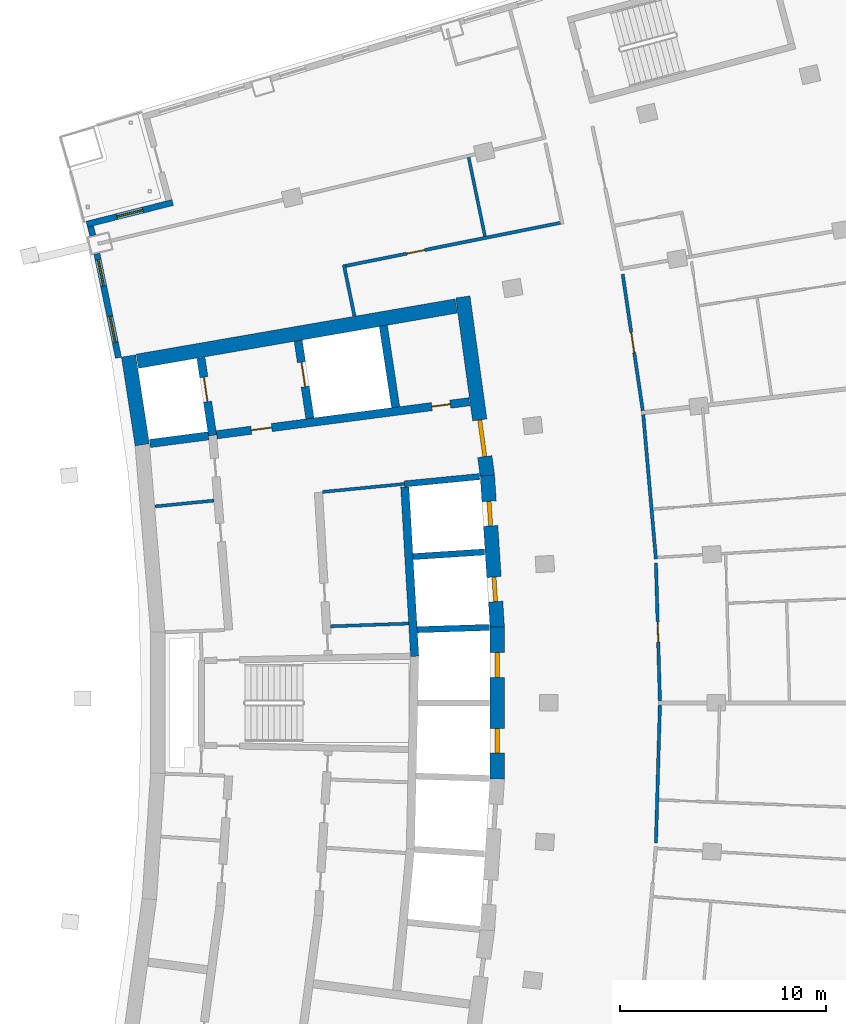
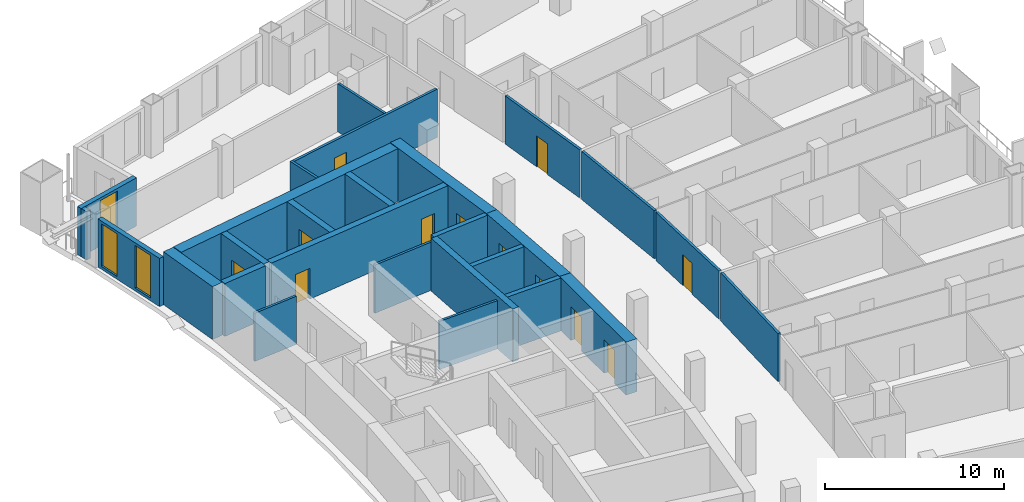
# One storey, part 14 of 21: 27 walls, 12 doors, 3 windows, 15 openings.
"""IFC4 building model written with IfcOpenShell, lengths in metres."""

import ifcopenshell
import ifcopenshell.guid

model = None  # the IFC model being written
_history = None  # IfcOwnerHistory: only IFC2X3 demands one
_inside = {}  # id of a spatial element -> (the spatial element, [elements in it])
_under = {}  # id of a project, library or spatial element -> (it, [spatial elements below it])
_declared = {}  # id of a project -> (the project, [libraries it declares])
_typed = {}  # id of a type object -> (the type object, [elements of that type])
_made_of = {}  # id of a material, layer set ... -> (it, [elements and type objects made of it])


def new_model(schema):
    """Start an empty IFC model of exactly this schema.

    Asked for "IFC4X3", IfcOpenShell would pick the latest addendum, in which some entities
    have other attributes; the version numbers below select the first issue.
    IFC2X3 requires an IfcOwnerHistory on every rooted entity: one is made here for all.
    """
    global model, _history
    if schema == "IFC4X3":
        model = ifcopenshell.file(schema_version=(4, 3, 0, 0))
    else:
        model = ifcopenshell.file(schema=schema)
    _inside.clear()
    _under.clear()
    _declared.clear()
    _typed.clear()
    _made_of.clear()
    _history = None
    if model.schema == "IFC2X3":
        org = make("IfcOrganization", Name="unknown")
        user = make(
            "IfcPersonAndOrganization",
            ThePerson=make("IfcPerson", FamilyName="unknown"),
            TheOrganization=org,
        )
        app = make(
            "IfcApplication",
            ApplicationDeveloper=org,
            Version="unknown",
            ApplicationFullName="unknown",
            ApplicationIdentifier="unknown",
        )
        _history = make(
            "IfcOwnerHistory",
            OwningUser=user,
            OwningApplication=app,
            ChangeAction="ADDED",
            CreationDate=0,
        )
    return model


def make(cls, **values):
    """One entity of the class cls with the attributes given. An attribute that is None is left unset."""
    return model.create_entity(
        cls, **{name: value for name, value in values.items() if value is not None}
    )


def rooted(cls, **values):
    """An entity with a GlobalId (a new one), such as an element, a storey or a relation."""
    return make(cls, GlobalId=ifcopenshell.guid.new(), OwnerHistory=_history, **values)


def si_unit(unit_type, name, prefix=None):
    """IfcSIUnit, for example si_unit("LENGTHUNIT", "METRE", prefix="MILLI")."""
    return make("IfcSIUnit", UnitType=unit_type, Prefix=prefix, Name=name)


def assignment(units):
    """IfcUnitAssignment: the units of a project."""
    return None if units is None else make("IfcUnitAssignment", Units=units)


def point(xyz):
    """IfcCartesianPoint."""
    return None if xyz is None else make("IfcCartesianPoint", Coordinates=xyz)


def direction(xyz):
    """IfcDirection."""
    return None if xyz is None else make("IfcDirection", DirectionRatios=xyz)


def frame(location, z_axis=None, x_axis=None):
    """IfcAxis2Placement3D, a coordinate frame: its origin and axes. An axis left out is left unset."""
    return make(
        "IfcAxis2Placement3D",
        Location=point(location),
        Axis=direction(z_axis),
        RefDirection=direction(x_axis),
    )


def frame_2d(location, x_axis=None):
    """IfcAxis2Placement2D, a coordinate frame in the plane: its origin and x axis."""
    return make(
        "IfcAxis2Placement2D", Location=point(location), RefDirection=direction(x_axis)
    )


def origin():
    """The frame at (0, 0, 0) with its axes left unset."""
    return frame((0.0, 0.0, 0.0))


def place(relative_to, where):
    """IfcLocalPlacement: puts the frame where relative to a parent placement (None: the world)."""
    return make(
        "IfcLocalPlacement", PlacementRelTo=relative_to, RelativePlacement=where
    )


def context(
    kind, dimensions, precision=None, world=None, true_north=None, identifier=None
):
    """IfcGeometricRepresentationContext, for example the 3D "Model" context."""
    return make(
        "IfcGeometricRepresentationContext",
        ContextIdentifier=identifier,
        ContextType=kind,
        CoordinateSpaceDimension=dimensions,
        Precision=precision,
        WorldCoordinateSystem=world,
        TrueNorth=true_north,
    )


def subcontext(parent, identifier, kind, view, scale=None):
    """IfcGeometricRepresentationSubContext, for example "Body" below "Model"."""
    return make(
        "IfcGeometricRepresentationSubContext",
        ContextIdentifier=identifier,
        ContextType=kind,
        ParentContext=parent,
        TargetScale=scale,
        TargetView=view,
    )


def project(units=None, contexts=None):
    """IfcProject with its units and contexts."""
    return rooted(
        "IfcProject",
        Name="project",
        RepresentationContexts=contexts,
        UnitsInContext=assignment(units),
    )


def spatial(cls, under=None, at=None, **own):
    """A site, building, storey or space (cls), placed at a placement, below another one or the project."""
    s = rooted(cls, ObjectPlacement=at, **own)
    if under is not None:
        _under.setdefault(under.id(), (under, []))[1].append(s)
    return s


def profile(cls, at=None, kind="AREA", **sizes):
    """A parametric profile (cls). Its sizes go by their IFC names, for example OverallWidth=200.0."""
    return make(cls, ProfileType=kind, Position=at, **sizes)


def rectangle(**sizes):
    """IfcRectangleProfileDef."""
    return profile("IfcRectangleProfileDef", **sizes)


def extrude(swept, where, along, depth):
    """IfcExtrudedAreaSolid: the profile swept, set in the frame where, extruded along a direction by depth."""
    return make(
        "IfcExtrudedAreaSolid",
        SweptArea=swept,
        Position=where,
        ExtrudedDirection=direction(along),
        Depth=depth,
    )


def shape(context_of_items, identifier, shape_type, items):
    """IfcShapeRepresentation: the items that make up one representation, for example the "Body"."""
    return make(
        "IfcShapeRepresentation",
        ContextOfItems=context_of_items,
        RepresentationIdentifier=identifier,
        RepresentationType=shape_type,
        Items=items,
    )


def material(Name=None, Category=None):
    """IfcMaterial."""
    return make("IfcMaterial", Name=Name, Category=Category)


def layer(
    of_material, thickness, ventilated=None, Name=None, Category=None, Priority=None
):
    """IfcMaterialLayer: one layer of a wall or slab, of a material (None: an air gap)."""
    return make(
        "IfcMaterialLayer",
        Material=of_material,
        LayerThickness=thickness,
        IsVentilated=ventilated,
        Name=Name,
        Category=Category,
        Priority=Priority,
    )


def layer_set(layers, Name=None):
    """IfcMaterialLayerSet."""
    return make("IfcMaterialLayerSet", MaterialLayers=layers, LayerSetName=Name)


def made_of(thing, what):
    """Note that an element or type object is made of a material, layer set ...; save() writes the relation."""
    if what is not None:
        _made_of.setdefault(what.id(), (what, []))[1].append(thing)
    return thing


def type_object(cls, material=None, **own):
    """A type object (cls), such as IfcWallType, which elements share."""
    return made_of(rooted(cls, **own), material)


def element(
    cls,
    number,
    at=None,
    inside=None,
    cuts=None,
    type_object=None,
    material=None,
    context=None,
    identifier="Body",
    shape_type=None,
    held_by="IfcProductDefinitionShape",
    body=None,
    shapes=None,
    **own,
):
    """One element of the class cls, such as IfcWall. Its Tag is "e" and its number.

    at: its placement. inside: the storey or other place that contains it. cuts: it is an
    opening in that element (IfcRelVoidsElement). A single representation is given by context,
    identifier, shape_type and body (its items); several are given by shapes. held_by: the class
    of the entity that holds the representations. save() writes the other relations.
    """
    e = rooted(cls, Tag="e%d" % number, ObjectPlacement=at, **own)
    if body is not None:
        shapes = [shape(context, identifier, shape_type, body)]
    if shapes is not None:
        e.Representation = make(held_by, Representations=shapes)
    if inside is not None:
        _inside.setdefault(inside.id(), (inside, []))[1].append(e)
    if cuts is not None:
        rooted(
            "IfcRelVoidsElement", RelatingBuildingElement=cuts, RelatedOpeningElement=e
        )
    if type_object is not None:
        _typed.setdefault(type_object.id(), (type_object, []))[1].append(e)
    return made_of(e, material)


def fill(opening, filler):
    """IfcRelFillsElement: the door or window that sits in an opening."""
    return rooted(
        "IfcRelFillsElement",
        RelatingOpeningElement=opening,
        RelatedBuildingElement=filler,
    )


def aggregate(whole, parts):
    """IfcRelAggregates: a whole, such as a stair, and the parts it consists of."""
    return rooted("IfcRelAggregates", RelatingObject=whole, RelatedObjects=parts)


def save(model, path):
    """Write the relations noted so far, then the file.

    IfcRelAggregates (storeys below a building ...), IfcRelContainedInSpatialStructure (elements
    in a storey), IfcRelDefinesByType, IfcRelAssociatesMaterial and IfcRelDeclares: one each for
    every whole, place, type object, material and project.
    """
    for whole, parts in _under.values():
        aggregate(whole, parts)
    for where, things in _inside.values():
        rooted(
            "IfcRelContainedInSpatialStructure",
            RelatedElements=things,
            RelatingStructure=where,
        )
    for kind, things in _typed.values():
        rooted("IfcRelDefinesByType", RelatedObjects=things, RelatingType=kind)
    for what, things in _made_of.values():
        rooted("IfcRelAssociatesMaterial", RelatedObjects=things, RelatingMaterial=what)
    for by, libraries in _declared.values():
        rooted("IfcRelDeclares", RelatingContext=by, RelatedDefinitions=libraries)
    model.write(path)


model = new_model("IFC4")

# Units and contexts
model_context = context("Model", 3, precision=1e-05, world=origin(), true_north=direction((0.0, 1.0)))
body_context = subcontext(model_context, "Body", "Model", "MODEL_VIEW")
ifc_project = project(units=[si_unit("LENGTHUNIT", "METRE"), si_unit("AREAUNIT", "SQUARE_METRE"), si_unit("VOLUMEUNIT", "CUBIC_METRE"), si_unit("PLANEANGLEUNIT", "RADIAN"), si_unit("MASSUNIT", "GRAM", prefix="KILO")], contexts=[model_context])

# Site, building, storey
site_placement = place(None, origin())
site = spatial("IfcSite", under=ifc_project, at=site_placement, CompositionType="ELEMENT")
building_placement = place(site_placement, origin())
building = spatial("IfcBuilding", under=site, at=building_placement, Name="Alderwake Tower", CompositionType="ELEMENT")
storey_placement = place(building_placement, frame((0.0, 0.0, 146.0)))
storey = spatial("IfcBuildingStorey", under=building, at=storey_placement, Name="L35", CompositionType="ELEMENT", Elevation=146.0)

# Walls
ifc_material_1 = material(Name="Gypsum shaft wall system, rated")
ifc_layer_1 = layer(ifc_material_1, 0.14990234375)
ifc_layer_set_1 = layer_set([ifc_layer_1], Name="Core riser partition 150")
wall_type_1 = type_object("IfcWallType", Name="Core riser partition 150", PredefinedType="PARTITIONING", material=ifc_layer_set_1)
wall_1_placement = place(storey_placement, frame((25.191162109375, 64.723388671875, 0.0), z_axis=(0.0, 0.0, 1.0), x_axis=(0.999373627871, 0.035388584556, 0.0)))
element("IfcWall", 1, at=wall_1_placement, inside=storey, type_object=wall_type_1, Name="CW/L35/PR+37_+86", PredefinedType="PARTITIONING", context=body_context, shape_type="SweptSolid", body=[
    extrude(rectangle(XDim=3.79443359375, YDim=0.14990234375, at=frame_2d((1.897216796875, 0.0))), origin(), (0.0, 0.0, 1.0), 3.280029296875),
])
ifc_material_2 = material(Name="Gypsum shaft wall system, rated")
ifc_layer_2 = layer(ifc_material_2, 0.14990234375)
ifc_layer_set_2 = layer_set([ifc_layer_2], Name="Core room partition 150")
wall_type_2 = type_object("IfcWallType", Name="Core room partition 150", PredefinedType="PARTITIONING", material=ifc_layer_set_2)
wall_2_placement = place(storey_placement, frame((24.799560546875, 71.2548828125, 0.0), z_axis=(0.0, 0.0, 1.0), x_axis=(0.995250000627, 0.097352125046, 0.0)))
element("IfcWall", 2, at=wall_2_placement, inside=storey, type_object=wall_type_2, Name="CW/L35/PR+102_+86", PredefinedType="PARTITIONING", context=body_context, shape_type="SweptSolid", body=[
    extrude(rectangle(XDim=4.0, YDim=0.14990234375, at=frame_2d((2.0, 0.0))), origin(), (0.0, 0.0, 1.0), 3.280029296875),
])
wall_3_placement = place(storey_placement, frame((16.662841796875, 70.552001953125, 0.0), z_axis=(0.0, 0.0, 1.0), x_axis=(0.995157883569, 0.098289301407, 0.0)))
element("IfcWall", 3, at=wall_3_placement, inside=storey, type_object=wall_type_2, Name="CW/L35/PR+103_+0", PredefinedType="PARTITIONING", context=body_context, shape_type="SweptSolid", body=[
    extrude(rectangle(XDim=2.866455078125, YDim=0.14990234375, at=frame_2d((1.43310546875, 0.0))), origin(), (0.0, 0.0, 1.0), 3.280029296875),
])
ifc_material_3 = material(Name="Concrete C70/85", Category="concrete")
ifc_layer_3 = layer(ifc_material_3, 0.699951171875)
ifc_layer_set_3 = layer_set([ifc_layer_3], Name="Core wall outer 700 C70-85")
wall_type_3 = type_object("IfcWallType", Name="Core wall outer 700 C70-85", PredefinedType="SHEAR", material=ifc_layer_set_3)
wall_4_placement = place(storey_placement, frame((16.033935546875, 73.547607421875, 0.0), z_axis=(0.0, 0.0, 1.0), x_axis=(-0.151897483467, 0.988396253795, 0.0)))
element("IfcWall", 4, at=wall_4_placement, inside=storey, type_object=wall_type_3, Name="Core wall CW.039", PredefinedType="SHEAR", context=body_context, shape_type="SweptSolid", body=[
    extrude(rectangle(XDim=4.365234375, YDim=0.699951171875, at=frame_2d((2.1826171875, 0.0))), origin(), (0.0, 0.0, 1.0), 3.60009765625),
])

# Wall, openings, doors
wall_5_placement = place(storey_placement, frame((33.2900390625, 57.30322265625, 0.0), z_axis=(0.0, 0.0, 1.0), x_axis=(0.0, 1.0, 0.0)))
wall_5 = element("IfcWall", 5, at=wall_5_placement, inside=storey, type_object=wall_type_3, Name="Core wall CW.013", PredefinedType="SHEAR", context=body_context, shape_type="SweptSolid", body=[
    extrude(rectangle(XDim=7.3935546875, YDim=0.699951171875, at=frame_2d((3.69677734375, 0.0))), origin(), (0.0, 0.0, 1.0), 3.60009765625),
])
opening_1_placement = place(wall_5_placement, frame((1.254150390625, 0.0, 0.0)))
opening_1 = element("IfcOpeningElement", 6, at=opening_1_placement, cuts=wall_5, Name="Opening LD-HP3", PredefinedType="OPENING", context=body_context, shape_type="SweptSolid", body=[
    extrude(rectangle(XDim=1.199951171875, YDim=2.300048828125, at=frame_2d((0.60009765625, 1.14990234375))), frame((0.0, 0.35986328125, 0.0), z_axis=(0.0, -1.0, 0.0), x_axis=(1.0, 0.0, 0.0)), (0.0, 0.0, 1.0), 0.719970703125),
])
opening_2_placement = place(wall_5_placement, frame((4.939208984375, 0.0, 0.0)))
opening_2 = element("IfcOpeningElement", 7, at=opening_2_placement, cuts=wall_5, Name="Opening LD-HP4", PredefinedType="OPENING", context=body_context, shape_type="SweptSolid", body=[
    extrude(rectangle(XDim=1.199951171875, YDim=2.300048828125, at=frame_2d((0.60009765625, 1.14990234375))), frame((0.0, 0.35986328125, 0.0), z_axis=(0.0, -1.0, 0.0), x_axis=(1.0, 0.0, 0.0)), (0.0, 0.0, 1.0), 0.719970703125),
])
ifc_material_4 = material(Name="Stainless steel sliding leaf", Category="steel")
door_type_1 = type_object("IfcDoorType", Name="Lift landing door 1200", OperationType="SLIDING_TO_LEFT", PredefinedType="DOOR", material=ifc_material_4)
door_1_placement = place(opening_1_placement, origin())
door_1 = element("IfcDoor", 8, at=door_1_placement, inside=storey, type_object=door_type_1, Name="Lift landing door HP3", OperationType="SLIDING_TO_LEFT", OverallHeight=2.300048828125, OverallWidth=1.199951171875, PredefinedType="DOOR", context=body_context, shape_type="SweptSolid", body=[
    extrude(rectangle(XDim=1.199951171875, YDim=2.300048828125, at=frame_2d((0.60009765625, 1.14990234375))), frame((0.0, 0.10009765625, 0.0), z_axis=(0.0, -1.0, 0.0), x_axis=(1.0, 0.0, 0.0)), (0.0, 0.0, 1.0), 0.199951171875),
])
fill(opening_1, door_1)
door_2_placement = place(opening_2_placement, origin())
door_2 = element("IfcDoor", 9, at=door_2_placement, inside=storey, type_object=door_type_1, Name="Lift landing door HP4", OperationType="SLIDING_TO_LEFT", OverallHeight=2.300048828125, OverallWidth=1.199951171875, PredefinedType="DOOR", context=body_context, shape_type="SweptSolid", body=[
    extrude(rectangle(XDim=1.199951171875, YDim=2.300048828125, at=frame_2d((0.60009765625, 1.14990234375))), frame((0.0, 0.10009765625, 0.0), z_axis=(0.0, -1.0, 0.0), x_axis=(1.0, 0.0, 0.0)), (0.0, 0.0, 1.0), 0.199951171875),
])
fill(opening_2, door_2)

wall_6_placement = place(storey_placement, frame((33.291015625, 64.6728515625, 0.0), z_axis=(0.0, 0.0, 1.0), x_axis=(-0.065009096017, 0.99788467141, 0.0)))
wall_6 = element("IfcWall", 10, at=wall_6_placement, inside=storey, type_object=wall_type_3, Name="Core wall CW.010", PredefinedType="SHEAR", context=body_context, shape_type="SweptSolid", body=[
    extrude(rectangle(XDim=7.39453125, YDim=0.699951171875, at=frame_2d((3.697265625, 0.0))), origin(), (0.0, 0.0, 1.0), 3.60009765625),
])
opening_3_placement = place(wall_6_placement, frame((1.25390625, 0.0, 0.0)))
opening_3 = element("IfcOpeningElement", 11, at=opening_3_placement, cuts=wall_6, Name="Opening LD-HP5", PredefinedType="OPENING", context=body_context, shape_type="SweptSolid", body=[
    extrude(rectangle(XDim=1.199951171875, YDim=2.300048828125, at=frame_2d((0.60009765625, 1.14990234375))), frame((0.0, 0.35986328125, 0.0), z_axis=(0.0, -1.0, 0.0), x_axis=(1.0, 0.0, 0.0)), (0.0, 0.0, 1.0), 0.719970703125),
])
opening_4_placement = place(wall_6_placement, frame((4.939208984375, 0.0, 0.0)))
opening_4 = element("IfcOpeningElement", 12, at=opening_4_placement, cuts=wall_6, Name="Opening LD-HP6", PredefinedType="OPENING", context=body_context, shape_type="SweptSolid", body=[
    extrude(rectangle(XDim=1.199951171875, YDim=2.300048828125, at=frame_2d((0.60009765625, 1.14990234375))), frame((0.0, 0.35986328125, 0.0), z_axis=(0.0, -1.0, 0.0), x_axis=(1.0, 0.0, 0.0)), (0.0, 0.0, 1.0), 0.719970703125),
])
door_3_placement = place(opening_3_placement, origin())
door_3 = element("IfcDoor", 13, at=door_3_placement, inside=storey, type_object=door_type_1, Name="Lift landing door HP5", OperationType="SLIDING_TO_LEFT", OverallHeight=2.300048828125, OverallWidth=1.199951171875, PredefinedType="DOOR", context=body_context, shape_type="SweptSolid", body=[
    extrude(rectangle(XDim=1.199951171875, YDim=2.300048828125, at=frame_2d((0.60009765625, 1.14990234375))), frame((0.0, 0.10009765625, 0.0), z_axis=(0.0, -1.0, 0.0), x_axis=(1.0, 0.0, 0.0)), (0.0, 0.0, 1.0), 0.199951171875),
])
fill(opening_3, door_3)
door_4_placement = place(opening_4_placement, origin())
door_4 = element("IfcDoor", 14, at=door_4_placement, inside=storey, type_object=door_type_1, Name="Lift landing door HP6", OperationType="SLIDING_TO_LEFT", OverallHeight=2.300048828125, OverallWidth=1.199951171875, PredefinedType="DOOR", context=body_context, shape_type="SweptSolid", body=[
    extrude(rectangle(XDim=1.199951171875, YDim=2.300048828125, at=frame_2d((0.60009765625, 1.14990234375))), frame((0.0, 0.10009765625, 0.0), z_axis=(0.0, -1.0, 0.0), x_axis=(1.0, 0.0, 0.0)), (0.0, 0.0, 1.0), 0.199951171875),
])
fill(opening_4, door_4)

# Wall, opening, door
wall_7_placement = place(storey_placement, frame((31.618896484375, 80.735107421875, 0.0), z_axis=(0.0, 0.0, 1.0), x_axis=(0.135835706655, -0.99073137671, 0.0)))
wall_7 = element("IfcWall", 15, at=wall_7_placement, inside=storey, type_object=wall_type_3, Name="Core wall CW.009", PredefinedType="SHEAR", context=body_context, shape_type="SweptSolid", body=[
    extrude(rectangle(XDim=8.790771484375, YDim=0.699951171875, at=frame_2d((4.3955078125, 0.0))), origin(), (0.0, 0.0, 1.0), 3.60009765625),
])
opening_5_placement = place(wall_7_placement, frame((6.035888671875, 0.0, 0.0)))
opening_5 = element("IfcOpeningElement", 16, at=opening_5_placement, cuts=wall_7, Name="Opening C001", PredefinedType="OPENING", context=body_context, shape_type="SweptSolid", body=[
    extrude(rectangle(XDim=1.800048828125, YDim=2.10009765625, at=frame_2d((0.89990234375, 1.050048828125))), frame((0.0, 0.35986328125, 0.0), z_axis=(0.0, -1.0, 0.0), x_axis=(1.0, 0.0, 0.0)), (0.0, 0.0, 1.0), 0.719970703125),
])
ifc_material_5 = material(Name="Steel-framed fire door leaves", Category="steel")
door_type_2 = type_object("IfcDoorType", Name="Core double door 1800 fire-rated", OperationType="DOUBLE_DOOR_SINGLE_SWING", PredefinedType="DOOR", material=ifc_material_5)
door_5_placement = place(opening_5_placement, origin())
door_5 = element("IfcDoor", 17, at=door_5_placement, inside=storey, type_object=door_type_2, Name="Lobby double door", OperationType="DOUBLE_DOOR_SINGLE_SWING", OverallHeight=2.10009765625, OverallWidth=1.800048828125, PredefinedType="DOOR", context=body_context, shape_type="SweptSolid", body=[
    extrude(rectangle(XDim=1.800048828125, YDim=2.10009765625, at=frame_2d((0.89990234375, 1.050048828125))), frame((0.0, 0.10009765625, 0.0), z_axis=(0.0, -1.0, 0.0), x_axis=(1.0, 0.0, 0.0)), (0.0, 0.0, 1.0), 0.199951171875),
])
fill(opening_5, door_5)

# Walls
wall_8_placement = place(storey_placement, frame((15.79443359375, 77.606689453125, 0.0), z_axis=(0.0, 0.0, 1.0), x_axis=(0.985301369349, 0.170825090542, 0.0)))
element("IfcWall", 18, at=wall_8_placement, inside=storey, type_object=wall_type_3, Name="Core wall CW.055", PredefinedType="SHEAR", context=body_context, shape_type="SweptSolid", body=[
    extrude(rectangle(XDim=15.732421875, YDim=0.699951171875, at=frame_2d((7.8662109375, 0.0))), origin(), (0.0, 0.0, 1.0), 3.60009765625),
])
ifc_material_6 = material(Name="Concrete C70/85", Category="concrete")
ifc_layer_4 = layer(ifc_material_6, 0.300048828125)
ifc_layer_set_4 = layer_set([ifc_layer_4], Name="Core wall shaft 300 C70-85")
wall_type_4 = type_object("IfcWallType", Name="Core wall shaft 300 C70-85", PredefinedType="SHEAR", material=ifc_layer_set_4)
wall_9_placement = place(storey_placement, frame((29.401611328125, 64.558349609375, 0.0), z_axis=(0.0, 0.0, 1.0), x_axis=(0.999472422829, 0.032478854739, 0.0)))
element("IfcWall", 19, at=wall_9_placement, inside=storey, type_object=wall_type_4, Name="Core wall CW.058", PredefinedType="SHEAR", context=body_context, shape_type="SweptSolid", body=[
    extrude(rectangle(XDim=3.510498046875, YDim=0.300048828125, at=frame_2d((1.75537109375, 0.0))), origin(), (0.0, 0.0, 1.0), 3.60009765625),
])
wall_10_placement = place(storey_placement, frame((29.193603515625, 68.110595703125, 0.0), z_axis=(0.0, 0.0, 1.0), x_axis=(0.997884751549, 0.065007865878, 0.0)))
element("IfcWall", 20, at=wall_10_placement, inside=storey, type_object=wall_type_4, Name="Core wall CW.061", PredefinedType="SHEAR", context=body_context, shape_type="SweptSolid", body=[
    extrude(rectangle(XDim=3.485107421875, YDim=0.300048828125, at=frame_2d((1.74267578125, 0.0))), origin(), (0.0, 0.0, 1.0), 3.60009765625),
])
wall_11_placement = place(storey_placement, frame((28.780517578125, 71.644287109375, 0.0), z_axis=(0.0, 0.0, 1.0), x_axis=(0.995245736737, 0.097395705788, 0.0)))
element("IfcWall", 21, at=wall_11_placement, inside=storey, type_object=wall_type_4, Name="Core wall CW.049", PredefinedType="SHEAR", context=body_context, shape_type="SweptSolid", body=[
    extrude(rectangle(XDim=3.669677734375, YDim=0.300048828125, at=frame_2d((1.8349609375, 0.0))), origin(), (0.0, 0.0, 1.0), 3.60009765625),
])

# Wall, opening, door
ifc_material_7 = material(Name="Concrete C70/85", Category="concrete")
ifc_layer_5 = layer(ifc_material_7, 0.39990234375)
ifc_layer_set_5 = layer_set([ifc_layer_5], Name="Core wall spine 400 C70-85")
wall_type_5 = type_object("IfcWallType", Name="Core wall spine 400 C70-85", PredefinedType="SHEAR", material=ifc_layer_set_5)
wall_12_placement = place(storey_placement, frame((19.4541015625, 74.000732421875, 0.0), z_axis=(0.0, 0.0, 1.0), x_axis=(-0.148540738889, 0.988906289236, 0.0)))
wall_12 = element("IfcWall", 22, at=wall_12_placement, inside=storey, type_object=wall_type_5, Name="Core wall CW.030", PredefinedType="SHEAR", context=body_context, shape_type="SweptSolid", body=[
    extrude(rectangle(XDim=3.814697265625, YDim=0.39990234375, at=frame_2d((1.9072265625, 0.0))), origin(), (0.0, 0.0, 1.0), 3.60009765625),
])
opening_6_placement = place(wall_12_placement, frame((1.660888671875, 0.0, 0.0)))
opening_6 = element("IfcOpeningElement", 23, at=opening_6_placement, cuts=wall_12, Name="Opening LD-FF1", PredefinedType="OPENING", context=body_context, shape_type="SweptSolid", body=[
    extrude(rectangle(XDim=1.199951171875, YDim=2.300048828125, at=frame_2d((0.60009765625, 1.14990234375))), frame((0.0, 0.2099609375, 0.0), z_axis=(0.0, -1.0, 0.0), x_axis=(1.0, 0.0, 0.0)), (0.0, 0.0, 1.0), 0.419921875),
])
door_6_placement = place(opening_6_placement, origin())
door_6 = element("IfcDoor", 24, at=door_6_placement, inside=storey, type_object=door_type_1, Name="Lift landing door FF1", OperationType="SLIDING_TO_LEFT", OverallHeight=2.300048828125, OverallWidth=1.199951171875, PredefinedType="DOOR", context=body_context, shape_type="SweptSolid", body=[
    extrude(rectangle(XDim=1.199951171875, YDim=2.300048828125, at=frame_2d((0.60009765625, 1.14990234375))), frame((0.0, 0.02490234375, 0.0), z_axis=(0.0, -1.0, 0.0), x_axis=(1.0, 0.0, 0.0)), (0.0, 0.0, 1.0), 0.050048828125),
])
fill(opening_6, door_6)

wall_13_placement = place(storey_placement, frame((24.186279296875, 74.82861328125, 0.0), z_axis=(0.0, 0.0, 1.0), x_axis=(-0.149604879253, 0.988745862243, 0.0)))
wall_13 = element("IfcWall", 25, at=wall_13_placement, inside=storey, type_object=wall_type_5, Name="Core wall CW.044", PredefinedType="SHEAR", context=body_context, shape_type="SweptSolid", body=[
    extrude(rectangle(XDim=3.823486328125, YDim=0.39990234375, at=frame_2d((1.91162109375, 0.0))), origin(), (0.0, 0.0, 1.0), 3.60009765625),
])
opening_7_placement = place(wall_13_placement, frame((1.561767578125, 0.0, 0.0)))
opening_7 = element("IfcOpeningElement", 26, at=opening_7_placement, cuts=wall_13, Name="Opening LD-FF2", PredefinedType="OPENING", context=body_context, shape_type="SweptSolid", body=[
    extrude(rectangle(XDim=1.199951171875, YDim=2.300048828125, at=frame_2d((0.60009765625, 1.14990234375))), frame((0.0, 0.2099609375, 0.0), z_axis=(0.0, -1.0, 0.0), x_axis=(1.0, 0.0, 0.0)), (0.0, 0.0, 1.0), 0.419921875),
])
door_7_placement = place(opening_7_placement, origin())
door_7 = element("IfcDoor", 27, at=door_7_placement, inside=storey, type_object=door_type_1, Name="Lift landing door FF2", OperationType="SLIDING_TO_LEFT", OverallHeight=2.300048828125, OverallWidth=1.199951171875, PredefinedType="DOOR", context=body_context, shape_type="SweptSolid", body=[
    extrude(rectangle(XDim=1.199951171875, YDim=2.300048828125, at=frame_2d((0.60009765625, 1.14990234375))), frame((0.0, 0.02490234375, 0.0), z_axis=(0.0, -1.0, 0.0), x_axis=(1.0, 0.0, 0.0)), (0.0, 0.0, 1.0), 0.050048828125),
])
fill(opening_7, door_7)

# Walls
wall_14_placement = place(storey_placement, frame((29.27685546875, 63.2646484375, 0.0), z_axis=(0.0, 0.0, 1.0), x_axis=(-0.0584546922, 0.998290062537, 0.0)))
element("IfcWall", 28, at=wall_14_placement, inside=storey, type_object=wall_type_5, Name="Core wall CW.002", PredefinedType="SHEAR", context=body_context, shape_type="SweptSolid", body=[
    extrude(rectangle(XDim=8.24462890625, YDim=0.39990234375, at=frame_2d((4.122314453125, 0.0))), origin(), (0.0, 0.0, 1.0), 3.60009765625),
])
wall_15_placement = place(storey_placement, frame((28.350830078125, 75.373291015625, 0.0), z_axis=(0.0, 0.0, 1.0), x_axis=(-0.149688214264, 0.988733249421, 0.0)))
element("IfcWall", 29, at=wall_15_placement, inside=storey, type_object=wall_type_5, Name="Core wall CW.001", PredefinedType="SHEAR", context=body_context, shape_type="SweptSolid", body=[
    extrude(rectangle(XDim=4.01220703125, YDim=0.39990234375, at=frame_2d((2.006103515625, 0.0))), origin(), (0.0, 0.0, 1.0), 3.60009765625),
])
wall_16_placement = place(storey_placement, frame((16.4091796875, 73.609619140625, 0.0), z_axis=(0.0, 0.0, 1.0), x_axis=(0.991557657486, 0.129666541102, 0.0)))
element("IfcWall", 30, at=wall_16_placement, inside=storey, type_object=wall_type_5, Name="Core wall CW.051", PredefinedType="SHEAR", context=body_context, shape_type="SweptSolid", body=[
    extrude(rectangle(XDim=2.869384765625, YDim=0.39990234375, at=frame_2d((1.4345703125, 0.0))), origin(), (0.0, 0.0, 1.0), 3.60009765625),
])

# Wall, openings, doors
wall_17_placement = place(storey_placement, frame((31.933837890625, 75.64013671875, 0.0), z_axis=(0.0, 0.0, 1.0), x_axis=(-0.991554628634, -0.129689700573, 0.0)))
wall_17 = element("IfcWall", 31, at=wall_17_placement, inside=storey, type_object=wall_type_5, Name="Core wall CW.052", PredefinedType="SHEAR", context=body_context, shape_type="SweptSolid", body=[
    extrude(rectangle(XDim=12.38671875, YDim=0.39990234375, at=frame_2d((6.193359375, 0.0))), origin(), (0.0, 0.0, 1.0), 3.60009765625),
])
opening_8_placement = place(wall_17_placement, frame((9.687255859375, 0.0, 0.0)))
opening_8 = element("IfcOpeningElement", 32, at=opening_8_placement, cuts=wall_17, Name="Opening C002", PredefinedType="OPENING", context=body_context, shape_type="SweptSolid", body=[
    extrude(rectangle(XDim=1.0, YDim=2.10009765625, at=frame_2d((0.5, 1.050048828125))), frame((0.0, 0.2099609375, 0.0), z_axis=(0.0, -1.0, 0.0), x_axis=(1.0, 0.0, 0.0)), (0.0, 0.0, 1.0), 0.419921875),
])
opening_9_placement = place(wall_17_placement, frame((0.937255859375, 0.0, 0.0)))
opening_9 = element("IfcOpeningElement", 33, at=opening_9_placement, cuts=wall_17, Name="Opening C020", PredefinedType="OPENING", context=body_context, shape_type="SweptSolid", body=[
    extrude(rectangle(XDim=0.89990234375, YDim=2.10009765625, at=frame_2d((0.449951171875, 1.050048828125))), frame((0.0, 0.2099609375, 0.0), z_axis=(0.0, -1.0, 0.0), x_axis=(1.0, 0.0, 0.0)), (0.0, 0.0, 1.0), 0.419921875),
])
ifc_material_8 = material(Name="Painted steel leaf", Category="steel")
door_type_3 = type_object("IfcDoorType", Name="Core room door 900", OperationType="SINGLE_SWING_LEFT", PredefinedType="DOOR", material=ifc_material_8)
door_8_placement = place(opening_9_placement, origin())
door_8 = element("IfcDoor", 34, at=door_8_placement, inside=storey, type_object=door_type_3, Name="Room door", OperationType="SINGLE_SWING_LEFT", OverallHeight=2.10009765625, OverallWidth=0.89990234375, PredefinedType="DOOR", context=body_context, shape_type="SweptSolid", body=[
    extrude(rectangle(XDim=0.89990234375, YDim=2.10009765625, at=frame_2d((0.449951171875, 1.050048828125))), frame((0.0, 0.02490234375, 0.0), z_axis=(0.0, -1.0, 0.0), x_axis=(1.0, 0.0, 0.0)), (0.0, 0.0, 1.0), 0.050048828125),
])
fill(opening_9, door_8)
ifc_material_9 = material(Name="Steel-framed fire door leaf", Category="steel")
door_type_4 = type_object("IfcDoorType", Name="Firefighting lobby door 1000 fire-rated", OperationType="SINGLE_SWING_LEFT", PredefinedType="DOOR", material=ifc_material_9)
door_9_placement = place(opening_8_placement, origin())
door_9 = element("IfcDoor", 35, at=door_9_placement, inside=storey, type_object=door_type_4, Name="Firefighting lobby door", OperationType="SINGLE_SWING_RIGHT", OverallHeight=2.10009765625, OverallWidth=1.0, PredefinedType="DOOR", context=body_context, shape_type="SweptSolid", body=[
    extrude(rectangle(XDim=1.0, YDim=2.10009765625, at=frame_2d((0.5, 1.050048828125))), frame((0.0, 0.02490234375, 0.0), z_axis=(0.0, -1.0, 0.0), x_axis=(1.0, 0.0, 0.0)), (0.0, 0.0, 1.0), 0.050048828125),
])
fill(opening_8, door_9)

# Wall
ifc_material_10 = material(Name="Gypsum board on metal studs, rated")
ifc_layer_6 = layer(ifc_material_10, 0.159912109375)
ifc_layer_set_6 = layer_set([ifc_layer_6], Name="Corridor wall 160")
wall_type_6 = type_object("IfcWallType", Name="Corridor wall 160", PredefinedType="PARTITIONING", material=ifc_layer_set_6)
wall_18_placement = place(storey_placement, frame((25.831787109375, 82.305419921875, 0.0), z_axis=(0.0, 0.0, 1.0), x_axis=(0.202450797205, -0.979292435747, 0.0)))
element("IfcWall", 36, at=wall_18_placement, inside=storey, type_object=wall_type_6, Name="WL/L35/W14", PredefinedType="PARTITIONING", context=body_context, shape_type="SweptSolid", body=[
    extrude(rectangle(XDim=2.555419921875, YDim=0.159912109375, at=frame_2d((1.27783203125, 0.0))), origin(), (0.0, 0.0, 1.0), 3.280029296875),
])

# Wall, opening, door
wall_19_placement = place(storey_placement, frame((25.926513671875, 82.24267578125, 0.0), z_axis=(0.0, 0.0, 1.0), x_axis=(0.98046310274, 0.196703086316, 0.0)))
wall_19 = element("IfcWall", 37, at=wall_19_placement, inside=storey, type_object=wall_type_6, Name="WL/L35/W20", PredefinedType="PARTITIONING", context=body_context, shape_type="SweptSolid", body=[
    extrude(rectangle(XDim=10.637939453125, YDim=0.159912109375, at=frame_2d((5.31884765625, 0.0))), origin(), (0.0, 0.0, 1.0), 3.280029296875),
])
opening_10_placement = place(wall_19_placement, frame((3.009033203125, 0.0, 0.0)))
opening_10 = element("IfcOpeningElement", 38, at=opening_10_placement, cuts=wall_19, Name="Opening R09-SBN1", PredefinedType="OPENING", context=body_context, shape_type="SweptSolid", body=[
    extrude(rectangle(XDim=0.89990234375, YDim=2.10009765625, at=frame_2d((0.449951171875, 1.050048828125))), frame((0.0, 0.08984375, 0.0), z_axis=(0.0, -1.0, 0.0), x_axis=(1.0, 0.0, 0.0)), (0.0, 0.0, 1.0), 0.179931640625),
])
ifc_material_11 = material(Name="Painted timber leaf", Category="wood")
door_type_5 = type_object("IfcDoorType", Name="Room door 900", OperationType="SINGLE_SWING_LEFT", PredefinedType="DOOR", material=ifc_material_11)
door_10_placement = place(opening_10_placement, origin())
door_10 = element("IfcDoor", 39, at=door_10_placement, inside=storey, type_object=door_type_5, Name="DR/L35/SBN1", OperationType="SINGLE_SWING_LEFT", OverallHeight=2.10009765625, OverallWidth=0.89990234375, PredefinedType="DOOR", context=body_context, shape_type="SweptSolid", body=[
    extrude(rectangle(XDim=0.89990234375, YDim=2.10009765625, at=frame_2d((0.449951171875, 1.050048828125))), frame((0.0, 0.02490234375, 0.0), z_axis=(0.0, -1.0, 0.0), x_axis=(1.0, 0.0, 0.0)), (0.0, 0.0, 1.0), 0.050048828125),
])
fill(opening_10, door_10)

wall_20_placement = place(storey_placement, frame((39.38671875, 81.837158203125, 0.0), z_axis=(0.0, 0.0, 1.0), x_axis=(0.145576845789, -0.989346947218, 0.0)))
wall_20 = element("IfcWall", 40, at=wall_20_placement, inside=storey, type_object=wall_type_6, Name="WL/L35/W25", PredefinedType="PARTITIONING", context=body_context, shape_type="SweptSolid", body=[
    extrude(rectangle(XDim=6.701416015625, YDim=0.159912109375, at=frame_2d((3.3505859375, 0.0))), origin(), (0.0, 0.0, 1.0), 3.280029296875),
])
opening_11_placement = place(wall_20_placement, frame((2.850830078125, 0.0, 0.0)))
opening_11 = element("IfcOpeningElement", 41, at=opening_11_placement, cuts=wall_20, Name="Opening R09-U07.2", PredefinedType="OPENING", context=body_context, shape_type="SweptSolid", body=[
    extrude(rectangle(XDim=1.0, YDim=2.10009765625, at=frame_2d((0.5, 1.050048828125))), frame((0.0, 0.08984375, 0.0), z_axis=(0.0, -1.0, 0.0), x_axis=(1.0, 0.0, 0.0)), (0.0, 0.0, 1.0), 0.179931640625),
])
ifc_material_12 = material(Name="Solid timber leaf in steel frame", Category="steel")
door_type_6 = type_object("IfcDoorType", Name="Flat entrance door 1000 fire-rated", OperationType="SINGLE_SWING_LEFT", PredefinedType="DOOR", material=ifc_material_12)
door_11_placement = place(opening_11_placement, origin())
door_11 = element("IfcDoor", 42, at=door_11_placement, inside=storey, type_object=door_type_6, Name="DR/L35/U07.2", OperationType="SINGLE_SWING_LEFT", OverallHeight=2.10009765625, OverallWidth=1.0, PredefinedType="DOOR", context=body_context, shape_type="SweptSolid", body=[
    extrude(rectangle(XDim=1.0, YDim=2.10009765625, at=frame_2d((0.5, 1.050048828125))), frame((0.0, 0.02490234375, 0.0), z_axis=(0.0, -1.0, 0.0), x_axis=(1.0, 0.0, 0.0)), (0.0, 0.0, 1.0), 0.050048828125),
])
fill(opening_11, door_11)

# Walls
wall_21_placement = place(storey_placement, frame((41.002685546875, 54.20068359375, 0.0), z_axis=(0.0, 0.0, 1.0), x_axis=(0.028855161601, 0.999583603131, 0.0)))
element("IfcWall", 43, at=wall_21_placement, inside=storey, type_object=wall_type_6, Name="WL/L35/W26", PredefinedType="PARTITIONING", context=body_context, shape_type="SweptSolid", body=[
    extrude(rectangle(XDim=6.700927734375, YDim=0.159912109375, at=frame_2d((3.3505859375, 0.0))), origin(), (0.0, 0.0, 1.0), 3.280029296875),
])
wall_22_placement = place(storey_placement, frame((41.001953125, 67.9873046875, 0.0), z_axis=(0.0, 0.0, 1.0), x_axis=(-0.087430787456, 0.996170596537, 0.0)))
element("IfcWall", 44, at=wall_22_placement, inside=storey, type_object=wall_type_6, Name="WL/L35/W27", PredefinedType="PARTITIONING", context=body_context, shape_type="SweptSolid", body=[
    extrude(rectangle(XDim=7.048095703125, YDim=0.159912109375, at=frame_2d((3.52392578125, 0.0))), origin(), (0.0, 0.0, 1.0), 3.280029296875),
])

# Wall, opening, door
wall_23_placement = place(storey_placement, frame((41.002685546875, 67.80029296875, 0.0), z_axis=(0.0, 0.0, 1.0), x_axis=(0.0288425569, -0.999583966914, 0.0)))
wall_23 = element("IfcWall", 45, at=wall_23_placement, inside=storey, type_object=wall_type_6, Name="WL/L35/W28", PredefinedType="PARTITIONING", context=body_context, shape_type="SweptSolid", body=[
    extrude(rectangle(XDim=6.703857421875, YDim=0.159912109375, at=frame_2d((3.35205078125, 0.0))), origin(), (0.0, 0.0, 1.0), 3.280029296875),
])
opening_12_placement = place(wall_23_placement, frame((2.85205078125, 0.0, 0.0)))
opening_12 = element("IfcOpeningElement", 46, at=opening_12_placement, cuts=wall_23, Name="Opening R09-U06.2", PredefinedType="OPENING", context=body_context, shape_type="SweptSolid", body=[
    extrude(rectangle(XDim=1.0, YDim=2.10009765625, at=frame_2d((0.5, 1.050048828125))), frame((0.0, 0.08984375, 0.0), z_axis=(0.0, -1.0, 0.0), x_axis=(1.0, 0.0, 0.0)), (0.0, 0.0, 1.0), 0.179931640625),
])
door_12_placement = place(opening_12_placement, origin())
door_12 = element("IfcDoor", 47, at=door_12_placement, inside=storey, type_object=door_type_6, Name="DR/L35/U06.2", OperationType="SINGLE_SWING_LEFT", OverallHeight=2.10009765625, OverallWidth=1.0, PredefinedType="DOOR", context=body_context, shape_type="SweptSolid", body=[
    extrude(rectangle(XDim=1.0, YDim=2.10009765625, at=frame_2d((0.5, 1.050048828125))), frame((0.0, 0.02490234375, 0.0), z_axis=(0.0, -1.0, 0.0), x_axis=(1.0, 0.0, 0.0)), (0.0, 0.0, 1.0), 0.050048828125),
])
fill(opening_12, door_12)

# Wall
ifc_material_13 = material(Name="Precast concrete C50/60 spandrel panel", Category="concrete")
ifc_layer_7 = layer(ifc_material_13, 0.300048828125)
ifc_layer_set_7 = layer_set([ifc_layer_7], Name="External wall EW1 Precast concrete C50/60 spandrel")
wall_type_7 = type_object("IfcWallType", Name="External wall EW1 Precast concrete C50/60 spandrel", PredefinedType="SOLIDWALL", material=ifc_layer_set_7)
wall_24_placement = place(storey_placement, frame((13.523193359375, 84.1572265625, 0.0), z_axis=(0.0, 0.0, 1.0), x_axis=(0.238729806706, -0.97108603089, 0.0)))
element("IfcWall", 48, at=wall_24_placement, inside=storey, type_object=wall_type_7, Name="External wall 30", PredefinedType="SOLIDWALL", context=body_context, shape_type="SweptSolid", body=[
    extrude(rectangle(XDim=0.453125, YDim=0.300048828125, at=frame_2d((0.2265625, 0.0))), origin(), (0.0, 0.0, 1.0), 3.280029296875),
])

# Wall, openings, windows
wall_25_placement = place(storey_placement, frame((13.83203125, 82.8291015625, 0.0), z_axis=(0.0, 0.0, 1.0), x_axis=(0.202754243564, -0.979229654737, 0.0)))
wall_25 = element("IfcWall", 49, at=wall_25_placement, inside=storey, type_object=wall_type_7, Name="External wall 31", PredefinedType="SOLIDWALL", context=body_context, shape_type="SweptSolid", body=[
    extrude(rectangle(XDim=5.15966796875, YDim=0.300048828125, at=frame_2d((2.579833984375, 0.0))), origin(), (0.0, 0.0, 1.0), 3.280029296875),
])
opening_13_placement = place(wall_25_placement, frame((0.29052734375, 0.0, 0.199951171875)))
opening_13 = element("IfcOpeningElement", 50, at=opening_13_placement, cuts=wall_25, Name="Opening W1", PredefinedType="OPENING", context=body_context, shape_type="SweptSolid", body=[
    extrude(rectangle(XDim=1.300048828125, YDim=2.89990234375, at=frame_2d((0.64990234375, 1.449951171875))), frame((0.0, 0.159912109375, 0.0), z_axis=(0.0, -1.0, 0.0), x_axis=(1.0, 0.0, 0.0)), (0.0, 0.0, 1.0), 0.320068359375),
])
opening_14_placement = place(wall_25_placement, frame((3.103271484375, 0.0, 0.199951171875)))
opening_14 = element("IfcOpeningElement", 51, at=opening_14_placement, cuts=wall_25, Name="Opening W1", PredefinedType="OPENING", context=body_context, shape_type="SweptSolid", body=[
    extrude(rectangle(XDim=1.300048828125, YDim=2.89990234375, at=frame_2d((0.64990234375, 1.449951171875))), frame((0.0, 0.159912109375, 0.0), z_axis=(0.0, -1.0, 0.0), x_axis=(1.0, 0.0, 0.0)), (0.0, 0.0, 1.0), 0.320068359375),
])
ifc_material_14 = material(Name="Bronze tinted glass in aluminium frame", Category="aluminium")
window_type = type_object("IfcWindowType", Name="Window W1 tall fixed and vent", PartitioningType="DOUBLE_PANEL_VERTICAL", PredefinedType="WINDOW", material=ifc_material_14)
window_1_placement = place(opening_13_placement, origin())
window_1 = element("IfcWindow", 52, at=window_1_placement, inside=storey, type_object=window_type, Name="Window W1 tall fixed and vent", OverallHeight=2.89990234375, OverallWidth=1.300048828125, PartitioningType="DOUBLE_PANEL_VERTICAL", PredefinedType="WINDOW", context=body_context, shape_type="SweptSolid", body=[
    extrude(rectangle(XDim=1.300048828125, YDim=2.89990234375, at=frame_2d((0.64990234375, 1.449951171875))), frame((0.0, 0.030029296875, 0.0), z_axis=(0.0, -1.0, 0.0), x_axis=(1.0, 0.0, 0.0)), (0.0, 0.0, 1.0), 0.06005859375),
])
fill(opening_13, window_1)
window_2_placement = place(opening_14_placement, origin())
window_2 = element("IfcWindow", 53, at=window_2_placement, inside=storey, type_object=window_type, Name="Window W1 tall fixed and vent", OverallHeight=2.89990234375, OverallWidth=1.300048828125, PartitioningType="DOUBLE_PANEL_VERTICAL", PredefinedType="WINDOW", context=body_context, shape_type="SweptSolid", body=[
    extrude(rectangle(XDim=1.300048828125, YDim=2.89990234375, at=frame_2d((0.64990234375, 1.449951171875))), frame((0.0, 0.030029296875, 0.0), z_axis=(0.0, -1.0, 0.0), x_axis=(1.0, 0.0, 0.0)), (0.0, 0.0, 1.0), 0.06005859375),
])
fill(opening_14, window_2)

# Wall, opening, window
ifc_material_15 = material(Name="Bronze metal cladding on lightweight framing")
ifc_layer_8 = layer(ifc_material_15, 0.300048828125)
ifc_layer_set_8 = layer_set([ifc_layer_8], Name="External wall EW2 bronze metal cladding")
wall_type_8 = type_object("IfcWallType", Name="External wall EW2 bronze metal cladding", PredefinedType="SOLIDWALL", material=ifc_layer_set_8)
wall_26_placement = place(storey_placement, frame((17.51611328125, 85.32275390625, 0.0), z_axis=(0.0, 0.0, 1.0), x_axis=(-0.969417740682, -0.245416470617, 0.0)))
wall_26 = element("IfcWall", 54, at=wall_26_placement, inside=storey, type_object=wall_type_8, Name="External wall 29", PredefinedType="SOLIDWALL", context=body_context, shape_type="SweptSolid", body=[
    extrude(rectangle(XDim=4.305419921875, YDim=0.300048828125, at=frame_2d((2.15283203125, 0.0))), origin(), (0.0, 0.0, 1.0), 3.280029296875),
])
opening_15_placement = place(wall_26_placement, frame((1.502685546875, 0.0, 0.199951171875)))
opening_15 = element("IfcOpeningElement", 55, at=opening_15_placement, cuts=wall_26, Name="Opening W1", PredefinedType="OPENING", context=body_context, shape_type="SweptSolid", body=[
    extrude(rectangle(XDim=1.300048828125, YDim=2.89990234375, at=frame_2d((0.64990234375, 1.449951171875))), frame((0.0, 0.159912109375, 0.0), z_axis=(0.0, -1.0, 0.0), x_axis=(1.0, 0.0, 0.0)), (0.0, 0.0, 1.0), 0.320068359375),
])
window_3_placement = place(opening_15_placement, origin())
window_3 = element("IfcWindow", 56, at=window_3_placement, inside=storey, type_object=window_type, Name="Window W1 tall fixed and vent", OverallHeight=2.89990234375, OverallWidth=1.300048828125, PartitioningType="DOUBLE_PANEL_VERTICAL", PredefinedType="WINDOW", context=body_context, shape_type="SweptSolid", body=[
    extrude(rectangle(XDim=1.300048828125, YDim=2.89990234375, at=frame_2d((0.64990234375, 1.449951171875))), frame((0.0, 0.030029296875, 0.0), z_axis=(0.0, -1.0, 0.0), x_axis=(1.0, 0.0, 0.0)), (0.0, 0.0, 1.0), 0.06005859375),
])
fill(opening_15, window_3)

# Wall
ifc_material_16 = material(Name="Gypsum shaft wall system, rated")
ifc_layer_9 = layer(ifc_material_16, 0.14990234375)
ifc_layer_set_9 = layer_set([ifc_layer_9], Name="Riser and shaft wall 150")
wall_type_9 = type_object("IfcWallType", Name="Riser and shaft wall 150", PredefinedType="PARTITIONING", material=ifc_layer_set_9)
wall_27_placement = place(storey_placement, frame((32.69287109375, 83.682373046875, 0.0), z_axis=(0.0, 0.0, 1.0), x_axis=(-0.20266545775, 0.979248034073, 0.0)))
element("IfcWall", 57, at=wall_27_placement, inside=storey, type_object=wall_type_9, Name="WL/L35/W08", PredefinedType="PARTITIONING", context=body_context, shape_type="SweptSolid", body=[
    extrude(rectangle(XDim=3.911376953125, YDim=0.14990234375, at=frame_2d((1.95556640625, 0.0))), origin(), (0.0, 0.0, 1.0), 3.280029296875),
])

save(model, "model.ifc")
